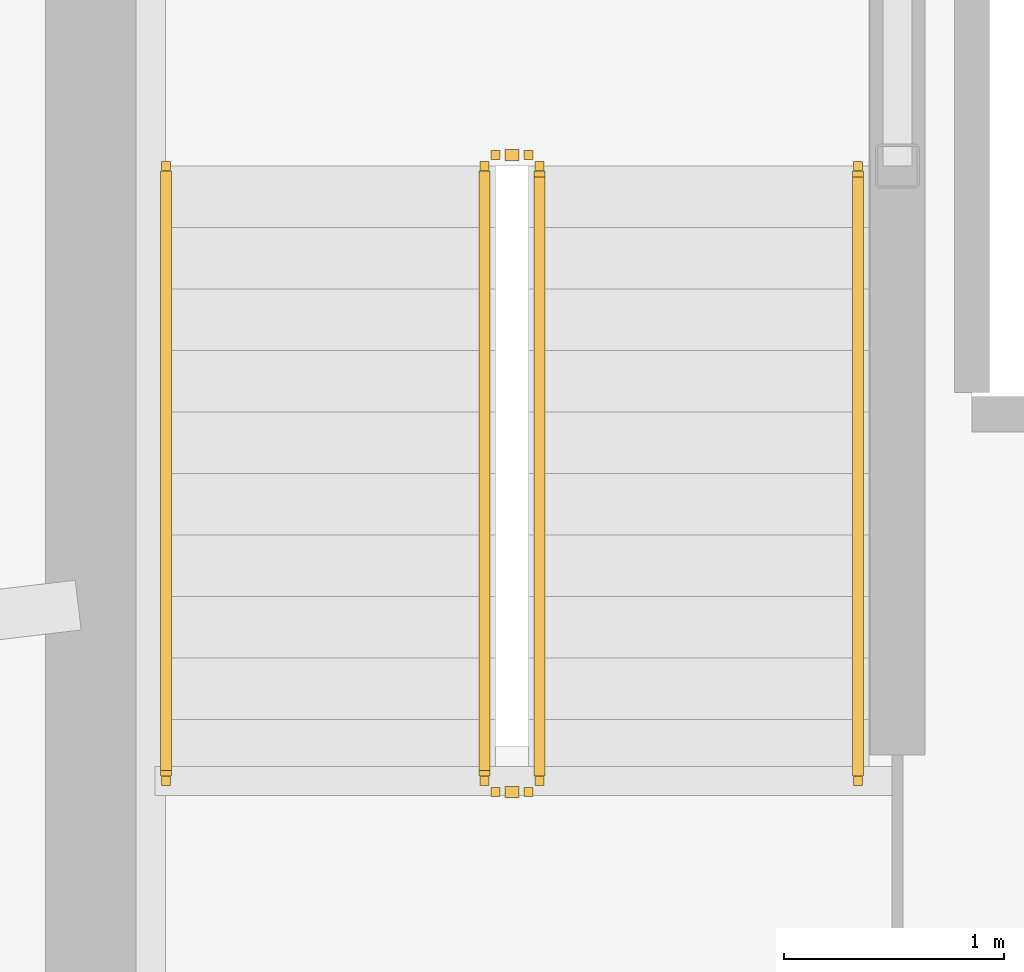
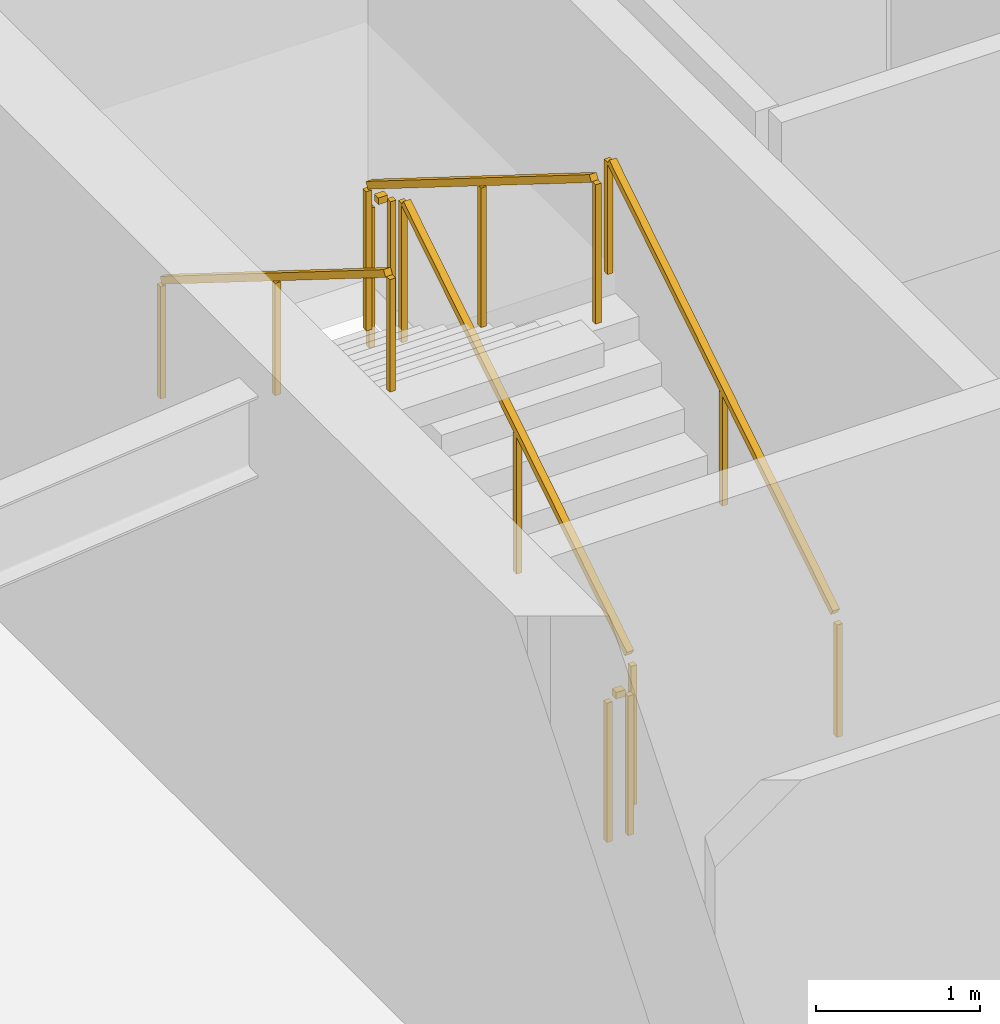
# One storey, part 24 of 29: 6 railings.
"""IFC4 building model written with IfcOpenShell, lengths in metres."""

from ifc_helpers import new_model, si_unit, direction, frame, origin, origin_2d, place, context, subcontext, project, spatial, rectangle, extrude, material, type_object, element, save


model = new_model("IFC4")

# Units and contexts
model_context = context("Model", 3, precision=1e-05, world=origin(), true_north=direction((0.0, 1.0)))
body_context = subcontext(model_context, "Body", "Model", "MODEL_VIEW")
ifc_project = project(units=[si_unit("LENGTHUNIT", "METRE"), si_unit("AREAUNIT", "SQUARE_METRE"), si_unit("VOLUMEUNIT", "CUBIC_METRE"), si_unit("PLANEANGLEUNIT", "RADIAN"), si_unit("MASSUNIT", "GRAM", prefix="KILO")], contexts=[model_context])

# Site, building, storey
site_placement = place(None, origin())
site = spatial("IfcSite", under=ifc_project, at=site_placement, CompositionType="ELEMENT")
building_placement = place(site_placement, origin())
building = spatial("IfcBuilding", under=site, at=building_placement, Name="Kazma Halo Residences", CompositionType="ELEMENT")
storey_placement = place(building_placement, frame((0.0, 0.0, 286.75)))
storey = spatial("IfcBuildingStorey", under=building, at=storey_placement, Name="L72", CompositionType="ELEMENT", Elevation=286.75)

# Railings
ifc_material_1 = material(Name="Painted Steel S355", Category="steel")
railing_type_1 = type_object("IfcRailingType", Name="RLG-STAIR-GRD-1100", PredefinedType="GUARDRAIL", material=ifc_material_1)
railing_1_placement = place(storey_placement, frame((39.550048828125, 39.949951171875, 0.175048828125)))
element("IfcRailing", 1, at=railing_1_placement, inside=storey, type_object=railing_type_1, Name="L72 ST-01 stair guard 1", PredefinedType="GUARDRAIL", context=body_context, shape_type="SweptSolid", body=[
    extrude(rectangle(XDim=0.050048828125, YDim=0.050048828125, at=origin_2d()), frame((0.0, 0.0361328125, 1.09765625), z_axis=(0.0, 0.848002457836, 0.529992293815), x_axis=(-1.0, 0.0, 0.0)), (0.0, 0.0, 1.0), 3.216796875),
    extrude(rectangle(XDim=0.0400390625, YDim=0.0400390625, at=origin_2d()), origin(), (0.0, 0.0, 1.0), 1.0380859375),
    extrude(rectangle(XDim=0.0400390625, YDim=0.0400390625, at=origin_2d()), frame((0.0, 1.39990234375, 0.875)), (0.0, 0.0, 1.0), 1.0380859375),
    extrude(rectangle(XDim=0.0400390625, YDim=0.0400390625, at=origin_2d()), frame((0.0, 2.800048828125, 1.75)), (0.0, 0.0, 1.0), 1.0380859375),
])
railing_2_placement = place(storey_placement, frame((39.5, 42.800048828125, 1.925048828125)))
element("IfcRailing", 2, at=railing_2_placement, inside=storey, type_object=railing_type_1, Name="L72 ST-01 stair guard 2", PredefinedType="GUARDRAIL", context=body_context, shape_type="SweptSolid", body=[
    extrude(rectangle(XDim=0.050048828125, YDim=0.050048828125, at=origin_2d()), frame((-0.04248046875, 0.0, 1.0751953125), z_axis=(-1.0, 0.0, 0.0), x_axis=(0.0, -1.0, 0.0)), (0.0, 0.0, 1.0), 0.06494140625),
    extrude(rectangle(XDim=0.0400390625, YDim=0.0400390625, at=origin_2d()), origin(), (0.0, 0.0, 1.0), 1.0380859375),
    extrude(rectangle(XDim=0.0400390625, YDim=0.0400390625, at=origin_2d()), frame((-0.14990234375, 0.0, 0.0)), (0.0, 0.0, 1.0), 1.0380859375),
])
railing_3_placement = place(storey_placement, frame((39.300048828125, 42.75, 2.10009765625)))
element("IfcRailing", 3, at=railing_3_placement, inside=storey, type_object=railing_type_1, Name="L72 ST-01 stair guard 3", PredefinedType="GUARDRAIL", context=body_context, shape_type="SweptSolid", body=[
    extrude(rectangle(XDim=0.050048828125, YDim=0.050048828125, at=origin_2d()), frame((0.0, -0.0361328125, 1.09765625), z_axis=(0.0, -0.848002457836, 0.529992293815), x_axis=(1.0, 0.0, 0.0)), (0.0, 0.0, 1.0), 3.216796875),
    extrude(rectangle(XDim=0.0400390625, YDim=0.0400390625, at=origin_2d()), origin(), (0.0, 0.0, 1.0), 1.0380859375),
    extrude(rectangle(XDim=0.0400390625, YDim=0.0400390625, at=origin_2d()), frame((0.0, -1.39990234375, 0.875)), (0.0, 0.0, 1.0), 1.0380859375),
    extrude(rectangle(XDim=0.0400390625, YDim=0.0400390625, at=origin_2d()), frame((0.0, -2.800048828125, 1.75)), (0.0, 0.0, 1.0), 1.0380859375),
])
railing_4_placement = place(storey_placement, frame((39.5, 39.89990234375, 0.0)))
element("IfcRailing", 4, at=railing_4_placement, inside=storey, type_object=railing_type_1, Name="L72 ST-01 stair guard 4", PredefinedType="GUARDRAIL", context=body_context, shape_type="SweptSolid", body=[
    extrude(rectangle(XDim=0.050048828125, YDim=0.050048828125, at=origin_2d()), frame((-0.04248046875, 0.0, 1.0751953125), z_axis=(-1.0, 0.0, 0.0), x_axis=(0.0, -1.0, 0.0)), (0.0, 0.0, 1.0), 0.06494140625),
    extrude(rectangle(XDim=0.0400390625, YDim=0.0400390625, at=origin_2d()), origin(), (0.0, 0.0, 1.0), 1.0380859375),
    extrude(rectangle(XDim=0.0400390625, YDim=0.0400390625, at=origin_2d()), frame((-0.14990234375, 0.0, 0.0)), (0.0, 0.0, 1.0), 1.0380859375),
])
ifc_material_2 = material(Name="Brushed Stainless Steel", Category="steel")
railing_type_2 = type_object("IfcRailingType", Name="RLG-STAIR-HND-900", PredefinedType="HANDRAIL", material=ifc_material_2)
railing_5_placement = place(storey_placement, frame((41.0, 39.949951171875, 0.175048828125)))
element("IfcRailing", 5, at=railing_5_placement, inside=storey, type_object=railing_type_2, Name="L72 ST-01 stair handrail 1", PredefinedType="HANDRAIL", context=body_context, shape_type="SweptSolid", body=[
    extrude(rectangle(XDim=0.050048828125, YDim=0.050048828125, at=origin_2d()), frame((0.0, 0.0361328125, 0.8974609375), z_axis=(0.0, 0.848002457836, 0.529992293815), x_axis=(-1.0, 0.0, 0.0)), (0.0, 0.0, 1.0), 3.216796875),
    extrude(rectangle(XDim=0.0400390625, YDim=0.0400390625, at=origin_2d()), origin(), (0.0, 0.0, 1.0), 0.837890625),
    extrude(rectangle(XDim=0.0400390625, YDim=0.0400390625, at=origin_2d()), frame((0.0, 1.39990234375, 0.875)), (0.0, 0.0, 1.0), 0.837890625),
    extrude(rectangle(XDim=0.0400390625, YDim=0.0400390625, at=origin_2d()), frame((0.0, 2.800048828125, 1.75)), (0.0, 0.0, 1.0), 0.837890625),
])
railing_6_placement = place(storey_placement, frame((37.85009765625, 42.75, 2.10009765625)))
element("IfcRailing", 6, at=railing_6_placement, inside=storey, type_object=railing_type_2, Name="L72 ST-01 stair handrail 2", PredefinedType="HANDRAIL", context=body_context, shape_type="SweptSolid", body=[
    extrude(rectangle(XDim=0.050048828125, YDim=0.050048828125, at=origin_2d()), frame((0.0, -0.0361328125, 0.8974609375), z_axis=(0.0, -0.848002457836, 0.529992293815), x_axis=(1.0, 0.0, 0.0)), (0.0, 0.0, 1.0), 3.216796875),
    extrude(rectangle(XDim=0.0400390625, YDim=0.0400390625, at=origin_2d()), origin(), (0.0, 0.0, 1.0), 0.837890625),
    extrude(rectangle(XDim=0.0400390625, YDim=0.0400390625, at=origin_2d()), frame((0.0, -1.39990234375, 0.875)), (0.0, 0.0, 1.0), 0.837890625),
    extrude(rectangle(XDim=0.0400390625, YDim=0.0400390625, at=origin_2d()), frame((0.0, -2.800048828125, 1.75)), (0.0, 0.0, 1.0), 0.837890625),
])

save(model, "model.ifc")
